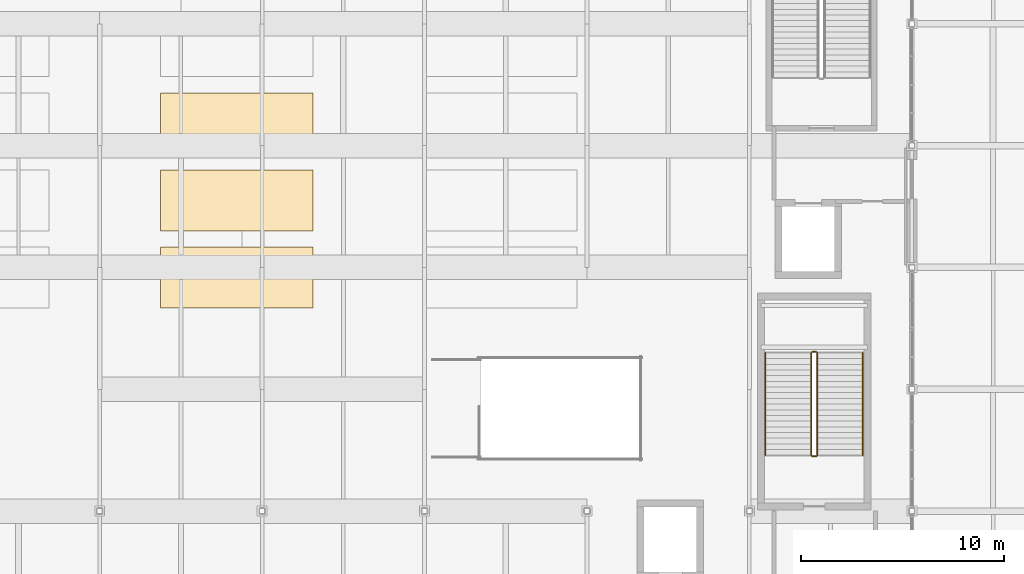
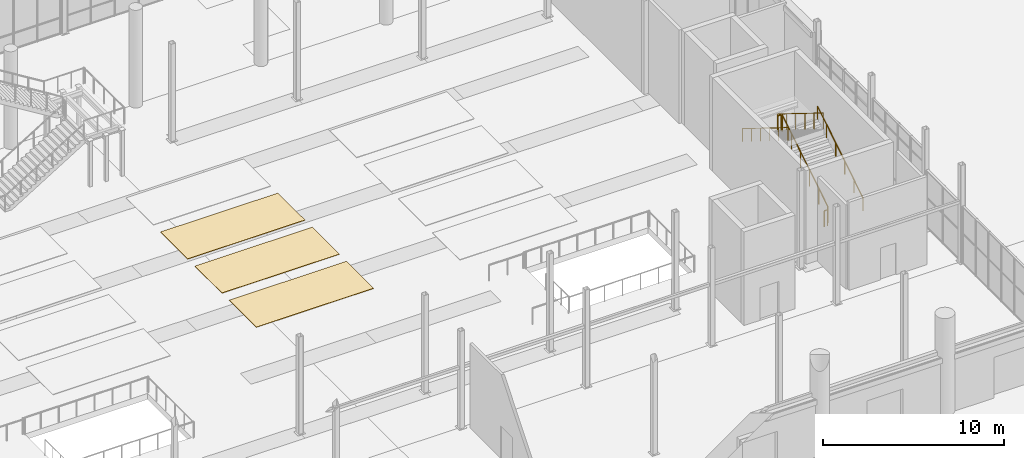
# One storey, part 134 of 140: 6 railings, 3 coverings.
"""IFC4 building model written with IfcOpenShell, lengths in metres."""

from ifc_helpers import new_model, si_unit, direction, frame, origin, origin_2d, place, context, subcontext, project, spatial, polyline, circle, outline, extrude, material, layer, layer_set, type_object, element, save


model = new_model("IFC4")

# Units and contexts
model_context = context("Model", 3, precision=1e-05, world=origin(), true_north=direction((0.0, 1.0)))
body_context = subcontext(model_context, "Body", "Model", "MODEL_VIEW")
ifc_project = project(units=[si_unit("LENGTHUNIT", "METRE"), si_unit("AREAUNIT", "SQUARE_METRE"), si_unit("VOLUMEUNIT", "CUBIC_METRE"), si_unit("PLANEANGLEUNIT", "RADIAN"), si_unit("MASSUNIT", "GRAM", prefix="KILO")], contexts=[model_context])

# Site, building, storey
site_placement = place(None, origin())
site = spatial("IfcSite", under=ifc_project, at=site_placement, CompositionType="ELEMENT")
building_placement = place(site_placement, origin())
building = spatial("IfcBuilding", under=site, at=building_placement, Name="Verrall Gate Interchange", CompositionType="ELEMENT")
storey_placement = place(building_placement, origin())
storey = spatial("IfcBuildingStorey", under=building, at=storey_placement, Name="L01", CompositionType="ELEMENT", Elevation=0.0)

# Coverings
ifc_material_1 = material(Name="Polished Alberta Aggregate Epoxy Terrazzo Flooring", Category="concrete")
ifc_layer = layer(ifc_material_1, 0.030029296875)
ifc_layer_set = layer_set([ifc_layer], Name="Polished Alberta Aggregate Epoxy Terrazzo Flooring")
covering_type = type_object("IfcCoveringType", Name="FLR-01 Polished Alberta Aggregate Terrazzo Flooring", PredefinedType="FLOORING", material=ifc_layer_set)
covering_1_placement = place(storey_placement, origin())
element("IfcCovering", 1, at=covering_1_placement, inside=storey, type_object=covering_type, Name="Grand Concourse Terrazzo Medallion Bay 03", PredefinedType="FLOORING", context=body_context, shape_type="SweptSolid", body=[
    extrude(outline(polyline([(71.0, 26.0), (78.5, 26.0), (78.5, 29.0), (71.0, 29.0), (71.0, 26.0)])), origin(), (0.0, 0.0, 1.0), 0.030029296875),
])
covering_2_placement = place(storey_placement, origin())
element("IfcCovering", 2, at=covering_2_placement, inside=storey, type_object=covering_type, Name="Grand Concourse Terrazzo Medallion Bay 07", PredefinedType="FLOORING", context=body_context, shape_type="SweptSolid", body=[
    extrude(outline(polyline([(71.0, 29.800048828125), (78.5, 29.800048828125), (78.5, 32.800048828125), (71.0, 32.800048828125), (71.0, 29.800048828125)])), origin(), (0.0, 0.0, 1.0), 0.030029296875),
])
covering_3_placement = place(storey_placement, origin())
element("IfcCovering", 3, at=covering_3_placement, inside=storey, type_object=covering_type, Name="Grand Concourse Terrazzo Medallion Bay 11", PredefinedType="FLOORING", context=body_context, shape_type="SweptSolid", body=[
    extrude(outline(polyline([(71.0, 33.60009765625), (78.5, 33.60009765625), (78.5, 36.60009765625), (71.0, 36.60009765625), (71.0, 33.60009765625)])), origin(), (0.0, 0.0, 1.0), 0.030029296875),
])

# Railings
ifc_material_2 = material(Name="Brushed Stainless-Steel Guardrail and Handrail System", Category="steel")
railing_type_1 = type_object("IfcRailingType", Name="GR-02 Interior Atrium and Stair Guardrail 1100", PredefinedType="GUARDRAIL", material=ifc_material_2)
railing_1_placement = place(storey_placement, frame((103.340087890625, 18.75, 0.173583984375)))
element("IfcRailing", 4, at=railing_1_placement, inside=storey, type_object=railing_type_1, Name="L01 ST-06 stair guard 1", PredefinedType="GUARDRAIL", context=body_context, shape_type="SweptSolid", body=[
    extrude(circle(Radius=0.02392578125, at=origin_2d()), frame((0.0, 0.0, 1.076171875), z_axis=(0.0, 0.849778785312, 0.527139465448), x_axis=(-1.0, 0.0, 0.0)), (0.0, 0.0, 1.0), 5.930908203125),
    extrude(circle(Radius=0.02099609375, at=origin_2d()), origin(), (0.0, 0.0, 1.0), 1.052001953125),
    extrude(circle(Radius=0.02099609375, at=origin_2d()), frame((0.0, 1.008056640625, 0.625244140625)), (0.0, 0.0, 1.0), 1.052001953125),
    extrude(circle(Radius=0.02099609375, at=origin_2d()), frame((0.0, 2.01611328125, 1.25048828125)), (0.0, 0.0, 1.0), 1.052001953125),
    extrude(circle(Radius=0.02099609375, at=origin_2d()), frame((0.0, 3.02392578125, 1.8759765625)), (0.0, 0.0, 1.0), 1.052001953125),
    extrude(circle(Radius=0.02099609375, at=origin_2d()), frame((0.0, 4.031982421875, 2.501220703125)), (0.0, 0.0, 1.0), 1.052001953125),
    extrude(circle(Radius=0.02099609375, at=origin_2d()), frame((0.0, 5.0400390625, 3.12646484375)), (0.0, 0.0, 1.0), 1.052001953125),
])
railing_2_placement = place(storey_placement, frame((103.2900390625, 23.840087890625, 3.300048828125)))
element("IfcRailing", 5, at=railing_2_placement, inside=storey, type_object=railing_type_1, Name="L01 ST-06 stair guard 2", PredefinedType="GUARDRAIL", context=body_context, shape_type="SweptSolid", body=[
    extrude(circle(Radius=0.02392578125, at=origin_2d()), frame((0.0, 0.0, 1.076171875), z_axis=(-1.0, 0.0, 0.0), x_axis=(0.0, -1.0, 0.0)), (0.0, 0.0, 1.0), 0.199951171875),
    extrude(circle(Radius=0.02099609375, at=origin_2d()), origin(), (0.0, 0.0, 1.0), 1.052001953125),
    extrude(circle(Radius=0.02099609375, at=origin_2d()), frame((-0.199951171875, 0.0, 0.0)), (0.0, 0.0, 1.0), 1.052001953125),
])
railing_3_placement = place(storey_placement, frame((103.0400390625, 23.7900390625, 3.4736328125)))
element("IfcRailing", 6, at=railing_3_placement, inside=storey, type_object=railing_type_1, Name="L01 ST-06 stair guard 3", PredefinedType="GUARDRAIL", context=body_context, shape_type="SweptSolid", body=[
    extrude(circle(Radius=0.02392578125, at=origin_2d()), frame((0.0, 0.0, 1.076171875), z_axis=(0.0, -0.849778785312, 0.527139465448), x_axis=(1.0, 0.0, 0.0)), (0.0, 0.0, 1.0), 5.930908203125),
    extrude(circle(Radius=0.02099609375, at=origin_2d()), origin(), (0.0, 0.0, 1.0), 1.052001953125),
    extrude(circle(Radius=0.02099609375, at=origin_2d()), frame((0.0, -1.008056640625, 0.625244140625)), (0.0, 0.0, 1.0), 1.052001953125),
    extrude(circle(Radius=0.02099609375, at=origin_2d()), frame((0.0, -2.01611328125, 1.25048828125)), (0.0, 0.0, 1.0), 1.052001953125),
    extrude(circle(Radius=0.02099609375, at=origin_2d()), frame((0.0, -3.02392578125, 1.8759765625)), (0.0, 0.0, 1.0), 1.052001953125),
    extrude(circle(Radius=0.02099609375, at=origin_2d()), frame((0.0, -4.031982421875, 2.501220703125)), (0.0, 0.0, 1.0), 1.052001953125),
    extrude(circle(Radius=0.02099609375, at=origin_2d()), frame((0.0, -5.0400390625, 3.12646484375)), (0.0, 0.0, 1.0), 1.052001953125),
])
railing_4_placement = place(storey_placement, frame((103.2900390625, 18.699951171875, 0.0)))
element("IfcRailing", 7, at=railing_4_placement, inside=storey, type_object=railing_type_1, Name="L01 ST-06 stair guard 4", PredefinedType="GUARDRAIL", context=body_context, shape_type="SweptSolid", body=[
    extrude(circle(Radius=0.02392578125, at=origin_2d()), frame((0.0, 0.0, 1.076171875), z_axis=(-1.0, 0.0, 0.0), x_axis=(0.0, -1.0, 0.0)), (0.0, 0.0, 1.0), 0.199951171875),
    extrude(circle(Radius=0.02099609375, at=origin_2d()), origin(), (0.0, 0.0, 1.0), 1.052001953125),
    extrude(circle(Radius=0.02099609375, at=origin_2d()), frame((-0.199951171875, 0.0, 0.0)), (0.0, 0.0, 1.0), 1.052001953125),
])
ifc_material_3 = material(Name="Brushed Stainless-Steel Guardrail and Handrail System", Category="steel")
railing_type_2 = type_object("IfcRailingType", Name="HR-01 Stair and Ramp Pitch-Line Handrail 920", PredefinedType="HANDRAIL", material=ifc_material_3)
railing_5_placement = place(storey_placement, frame((105.590087890625, 18.75, 0.173583984375)))
element("IfcRailing", 8, at=railing_5_placement, inside=storey, type_object=railing_type_2, Name="L01 ST-06 stair handrail 1", PredefinedType="HANDRAIL", context=body_context, shape_type="SweptSolid", body=[
    extrude(circle(Radius=0.02392578125, at=origin_2d()), frame((0.0, 0.0, 0.8759765625), z_axis=(0.0, 0.849778785312, 0.527139465448), x_axis=(-1.0, 0.0, 0.0)), (0.0, 0.0, 1.0), 5.930908203125),
    extrude(circle(Radius=0.02099609375, at=origin_2d()), origin(), (0.0, 0.0, 1.0), 0.851806640625),
    extrude(circle(Radius=0.02099609375, at=origin_2d()), frame((0.0, 1.008056640625, 0.625244140625)), (0.0, 0.0, 1.0), 0.851806640625),
    extrude(circle(Radius=0.02099609375, at=origin_2d()), frame((0.0, 2.01611328125, 1.25048828125)), (0.0, 0.0, 1.0), 0.851806640625),
    extrude(circle(Radius=0.02099609375, at=origin_2d()), frame((0.0, 3.02392578125, 1.8759765625)), (0.0, 0.0, 1.0), 0.851806640625),
    extrude(circle(Radius=0.02099609375, at=origin_2d()), frame((0.0, 4.031982421875, 2.501220703125)), (0.0, 0.0, 1.0), 0.851806640625),
    extrude(circle(Radius=0.02099609375, at=origin_2d()), frame((0.0, 5.0400390625, 3.12646484375)), (0.0, 0.0, 1.0), 0.851806640625),
])
railing_6_placement = place(storey_placement, frame((100.7900390625, 23.7900390625, 3.4736328125)))
element("IfcRailing", 9, at=railing_6_placement, inside=storey, type_object=railing_type_2, Name="L01 ST-06 stair handrail 2", PredefinedType="HANDRAIL", context=body_context, shape_type="SweptSolid", body=[
    extrude(circle(Radius=0.02392578125, at=origin_2d()), frame((0.0, 0.0, 0.8759765625), z_axis=(0.0, -0.849778785312, 0.527139465448), x_axis=(1.0, 0.0, 0.0)), (0.0, 0.0, 1.0), 5.930908203125),
    extrude(circle(Radius=0.02099609375, at=origin_2d()), origin(), (0.0, 0.0, 1.0), 0.851806640625),
    extrude(circle(Radius=0.02099609375, at=origin_2d()), frame((0.0, -1.008056640625, 0.625244140625)), (0.0, 0.0, 1.0), 0.851806640625),
    extrude(circle(Radius=0.02099609375, at=origin_2d()), frame((0.0, -2.01611328125, 1.25048828125)), (0.0, 0.0, 1.0), 0.851806640625),
    extrude(circle(Radius=0.02099609375, at=origin_2d()), frame((0.0, -3.02392578125, 1.8759765625)), (0.0, 0.0, 1.0), 0.851806640625),
    extrude(circle(Radius=0.02099609375, at=origin_2d()), frame((0.0, -4.031982421875, 2.501220703125)), (0.0, 0.0, 1.0), 0.851806640625),
    extrude(circle(Radius=0.02099609375, at=origin_2d()), frame((0.0, -5.0400390625, 3.12646484375)), (0.0, 0.0, 1.0), 0.851806640625),
])

save(model, "model.ifc")
